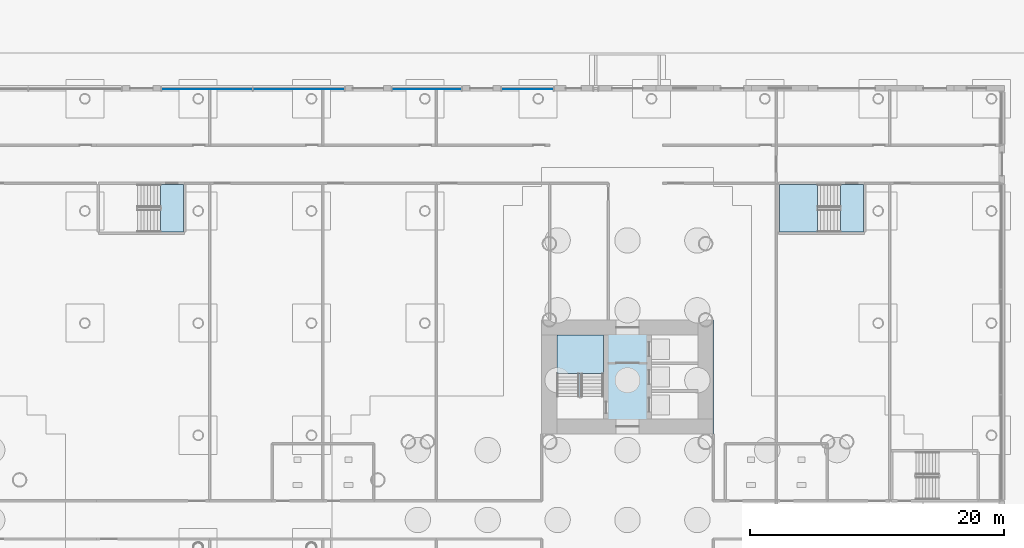
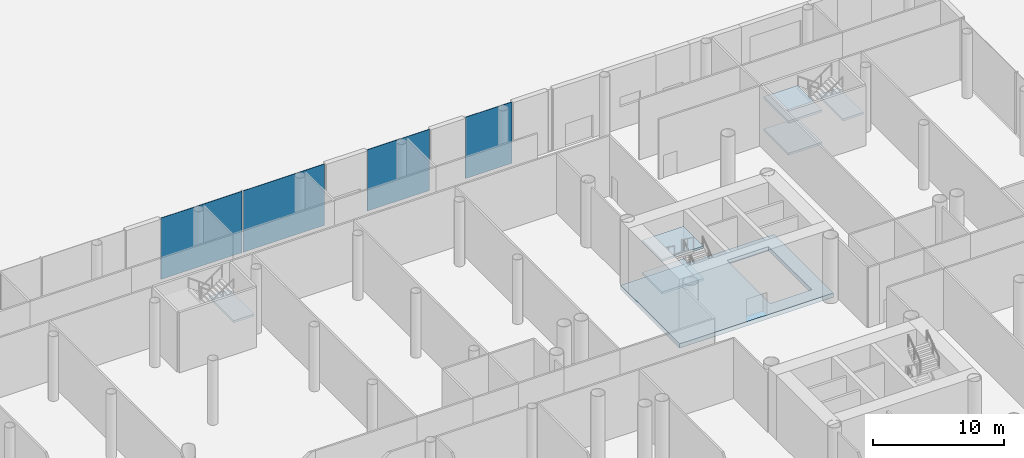
# One storey, part 25 of 75: 7 slabs, 4 plates, 6 elements without a shape of their own.
"""IFC4 building model written with IfcOpenShell, lengths in metres."""

from ifc_helpers import new_model, si_unit, direction, frame, origin, origin_2d, place, context, subcontext, project, spatial, polyline, rectangle, outline, extrude, material, layer, layer_set, type_object, element, aggregate, save


model = new_model("IFC4")

# Units and contexts
model_context = context("Model", 3, precision=1e-05, world=origin(), true_north=direction((0.0, 1.0)))
body_context = subcontext(model_context, "Body", "Model", "MODEL_VIEW")
ifc_project = project(units=[si_unit("LENGTHUNIT", "METRE"), si_unit("AREAUNIT", "SQUARE_METRE"), si_unit("VOLUMEUNIT", "CUBIC_METRE"), si_unit("PLANEANGLEUNIT", "RADIAN"), si_unit("MASSUNIT", "GRAM", prefix="KILO")], contexts=[model_context])

# Site, building, storey
site_placement = place(None, origin())
site = spatial("IfcSite", under=ifc_project, at=site_placement, CompositionType="ELEMENT")
building_placement = place(site_placement, origin())
building = spatial("IfcBuilding", under=site, at=building_placement, Name="Ipe Terrace Towers", CompositionType="ELEMENT")
storey_placement = place(building_placement, origin())
storey = spatial("IfcBuildingStorey", under=building, at=storey_placement, Name="L00", CompositionType="ELEMENT", Elevation=0.0)

# Slab
ifc_material_1 = material(Name="Concrete C30/37", Category="concrete")
ifc_layer_1 = layer(ifc_material_1, 0.39990234375)
ifc_layer_set_1 = layer_set([ifc_layer_1], Name="CORE FLOOR SLAB 400 C30-37")
slab_type_1 = type_object("IfcSlabType", Name="CORE FLOOR SLAB 400 C30-37", PredefinedType="FLOOR", material=ifc_layer_set_1)
slab_1_placement = place(storey_placement, frame((0.0, 0.0, -0.39990234375)))
element("IfcSlab", 1, at=slab_1_placement, inside=storey, type_object=slab_type_1, Name="Core floor T2-C1", PredefinedType="FLOOR", context=body_context, shape_type="SweptSolid", body=[
    extrude(outline(polyline([(29.25, 6.75), (29.25, 15.75), (42.75, 15.75), (42.75, 6.75), (29.25, 6.75)]), holes=[polyline([(41.550048828125, 7.949951171875), (41.550048828125, 14.550048828125), (37.89990234375, 14.550048828125), (37.89990234375, 7.949951171875), (41.550048828125, 7.949951171875)])]), origin(), (0.0, 0.0, 1.0), 0.39990234375),
])

# Stair, slabs
ifc_material_2 = material(Name="Concrete C30/37", Category="concrete")
stair_type = type_object("IfcStairType", Name="Protected exit stair", PredefinedType="HALF_TURN_STAIR", material=ifc_material_2)
stair_1_placement = place(storey_placement, origin())
stair_1 = element("IfcStair", 2, at=stair_1_placement, inside=storey, type_object=stair_type, Name="L00 Exit stair T2-C1", PredefinedType="HALF_TURN_STAIR")
ifc_material_3 = material(Name="Concrete C30/37", Category="concrete")
ifc_layer_2 = layer(ifc_material_3, 0.199951171875)
ifc_layer_set_2 = layer_set([ifc_layer_2], Name="Exit stair landing 200")
slab_type_2 = type_object("IfcSlabType", Name="Exit stair landing 200", PredefinedType="LANDING", material=ifc_layer_set_2)
slab_2_placement = place(storey_placement, frame((0.0, 0.0, 1.300048828125)))
slab_2 = element("IfcSlab", 3, at=slab_2_placement, type_object=slab_type_2, Name="T2-ST1 landing 1", PredefinedType="LANDING", context=body_context, shape_type="SweptSolid", body=[
    extrude(outline(polyline([(34.10009765625, 11.52001953125), (34.10009765625, 14.550048828125), (30.449951171875, 14.550048828125), (30.449951171875, 11.52001953125), (34.10009765625, 11.52001953125)])), origin(), (0.0, 0.0, 1.0), 0.199951171875),
])
slab_3_placement = place(storey_placement, frame((0.0, 0.0, 4.300048828125)))
slab_3 = element("IfcSlab", 4, at=slab_3_placement, type_object=slab_type_2, Name="T2-ST1 landing 3", PredefinedType="LANDING", context=body_context, shape_type="SweptSolid", body=[
    extrude(outline(polyline([(34.10009765625, 11.52001953125), (34.10009765625, 14.550048828125), (30.449951171875, 14.550048828125), (30.449951171875, 11.52001953125), (34.10009765625, 11.52001953125)])), origin(), (0.0, 0.0, 1.0), 0.199951171875),
])
aggregate(stair_1, [slab_2, slab_3])

# Stair, slab
stair_2_placement = place(storey_placement, origin())
stair_2 = element("IfcStair", 5, at=stair_2_placement, inside=storey, type_object=stair_type, Name="L00 Podium exit stair PS2", PredefinedType="HALF_TURN_STAIR")
slab_4_placement = place(storey_placement, frame((0.0, 0.0, 2.800048828125)))
slab_4 = element("IfcSlab", 6, at=slab_4_placement, type_object=slab_type_2, Name="PS2 landing 2", PredefinedType="LANDING", context=body_context, shape_type="SweptSolid", body=[
    extrude(outline(polyline([(1.050048828125, 26.39990234375), (-0.75, 26.39990234375), (-0.75, 22.64990234375), (1.050048828125, 22.64990234375), (1.050048828125, 26.39990234375)])), origin(), (0.0, 0.0, 1.0), 0.199951171875),
])
aggregate(stair_2, [slab_4])

# Stair, slabs
stair_3_placement = place(storey_placement, origin())
stair_3 = element("IfcStair", 7, at=stair_3_placement, inside=storey, type_object=stair_type, Name="L00 Podium exit stair PS3", PredefinedType="HALF_TURN_STAIR")
slab_5_placement = place(storey_placement, frame((0.0, 0.0, 1.300048828125)))
slab_5 = element("IfcSlab", 8, at=slab_5_placement, type_object=slab_type_2, Name="PS3 landing 1", PredefinedType="LANDING", context=body_context, shape_type="SweptSolid", body=[
    extrude(outline(polyline([(50.949951171875, 26.39990234375), (47.969970703125, 26.39990234375), (47.969970703125, 22.64990234375), (50.949951171875, 22.64990234375), (50.949951171875, 26.39990234375)])), origin(), (0.0, 0.0, 1.0), 0.199951171875),
])
slab_6_placement = place(storey_placement, frame((0.0, 0.0, 2.800048828125)))
slab_6 = element("IfcSlab", 9, at=slab_6_placement, type_object=slab_type_2, Name="PS3 landing 2", PredefinedType="LANDING", context=body_context, shape_type="SweptSolid", body=[
    extrude(outline(polyline([(54.570068359375, 26.39990234375), (52.77001953125, 26.39990234375), (52.77001953125, 22.64990234375), (54.570068359375, 22.64990234375), (54.570068359375, 26.39990234375)])), origin(), (0.0, 0.0, 1.0), 0.199951171875),
])
slab_7_placement = place(storey_placement, frame((0.0, 0.0, 4.300048828125)))
slab_7 = element("IfcSlab", 10, at=slab_7_placement, type_object=slab_type_2, Name="PS3 landing 3", PredefinedType="LANDING", context=body_context, shape_type="SweptSolid", body=[
    extrude(outline(polyline([(50.949951171875, 26.39990234375), (47.969970703125, 26.39990234375), (47.969970703125, 22.64990234375), (50.949951171875, 22.64990234375), (50.949951171875, 26.39990234375)])), origin(), (0.0, 0.0, 1.0), 0.199951171875),
])
aggregate(stair_3, [slab_5, slab_6, slab_7])

# Curtain wall, plate
ifc_material_4 = material(Name="Aluminium alloy 6063-T6", Category="aluminium")
ifc_layer_3 = layer(ifc_material_4, 0.43994140625)
ifc_layer_set_3 = layer_set([ifc_layer_3], Name="PODIUM GLAZING CURTAIN WALL")
curtain_wall_type = type_object("IfcCurtainWallType", Name="PODIUM GLAZING CURTAIN WALL", PredefinedType="NOTDEFINED", material=ifc_layer_set_3)
curtain_wall_1_placement = place(storey_placement, origin())
curtain_wall_1 = element("IfcCurtainWall", 11, at=curtain_wall_1_placement, inside=storey, type_object=curtain_wall_type, Name="POD-CW-L00-01k curtain wall", PredefinedType="NOTDEFINED")
ifc_material_5 = material(Name="Glass, clear laminated", Category="glass")
ifc_layer_4 = layer(ifc_material_5, 0.035888671875)
ifc_layer_set_4 = layer_set([ifc_layer_4], Name="PODIUM GLAZING GLASS PANEL 36")
plate_type = type_object("IfcPlateType", Name="PODIUM GLAZING GLASS PANEL 36", PredefinedType="CURTAIN_PANEL", material=ifc_layer_set_4)
plate_1_placement = place(storey_placement, frame((28.1298828125, 33.89990234375, 0.0), z_axis=(0.0, 0.0, 1.0), x_axis=(-1.0, 0.0, 0.0)))
plate_1 = element("IfcPlate", 12, at=plate_1_placement, type_object=plate_type, Name="POD-CW-L00-01k panel 1", PredefinedType="CURTAIN_PANEL", context=body_context, shape_type="SweptSolid", body=[
    extrude(rectangle(XDim=4.080078125, YDim=0.035888671875, at=origin_2d()), origin(), (0.0, 0.0, 1.0), 5.699951171875),
])
aggregate(curtain_wall_1, [plate_1])

curtain_wall_2_placement = place(storey_placement, origin())
curtain_wall_2 = element("IfcCurtainWall", 13, at=curtain_wall_2_placement, inside=storey, type_object=curtain_wall_type, Name="POD-CW-L00-01m curtain wall", PredefinedType="NOTDEFINED")
plate_2_placement = place(storey_placement, frame((20.199951171875, 33.89990234375, 0.0), z_axis=(0.0, 0.0, 1.0), x_axis=(-1.0, 0.0, 0.0)))
plate_2 = element("IfcPlate", 14, at=plate_2_placement, type_object=plate_type, Name="POD-CW-L00-01m panel 1", PredefinedType="CURTAIN_PANEL", context=body_context, shape_type="SweptSolid", body=[
    extrude(rectangle(XDim=5.4599609375, YDim=0.035888671875, at=origin_2d()), origin(), (0.0, 0.0, 1.0), 5.699951171875),
])
aggregate(curtain_wall_2, [plate_2])

# Curtain wall, plates
curtain_wall_3_placement = place(storey_placement, origin())
curtain_wall_3 = element("IfcCurtainWall", 15, at=curtain_wall_3_placement, inside=storey, type_object=curtain_wall_type, Name="POD-CW-L00-01o curtain wall", PredefinedType="NOTDEFINED")
plate_3_placement = place(storey_placement, frame((10.135009765625, 33.89990234375, 0.0), z_axis=(0.0, 0.0, 1.0), x_axis=(-1.0, 0.0, 0.0)))
plate_3 = element("IfcPlate", 16, at=plate_3_placement, type_object=plate_type, Name="POD-CW-L00-01o panel 1", PredefinedType="CURTAIN_PANEL", context=body_context, shape_type="SweptSolid", body=[
    extrude(rectangle(XDim=7.14990234375, YDim=0.035888671875, at=origin_2d()), origin(), (0.0, 0.0, 1.0), 5.699951171875),
])
plate_4_placement = place(storey_placement, frame((2.905029296875, 33.89990234375, 0.0), z_axis=(0.0, 0.0, 1.0), x_axis=(-1.0, 0.0, 0.0)))
plate_4 = element("IfcPlate", 17, at=plate_4_placement, type_object=plate_type, Name="POD-CW-L00-01o panel 2", PredefinedType="CURTAIN_PANEL", context=body_context, shape_type="SweptSolid", body=[
    extrude(rectangle(XDim=7.14990234375, YDim=0.035888671875, at=origin_2d()), origin(), (0.0, 0.0, 1.0), 5.699951171875),
])
aggregate(curtain_wall_3, [plate_3, plate_4])

save(model, "model.ifc")
